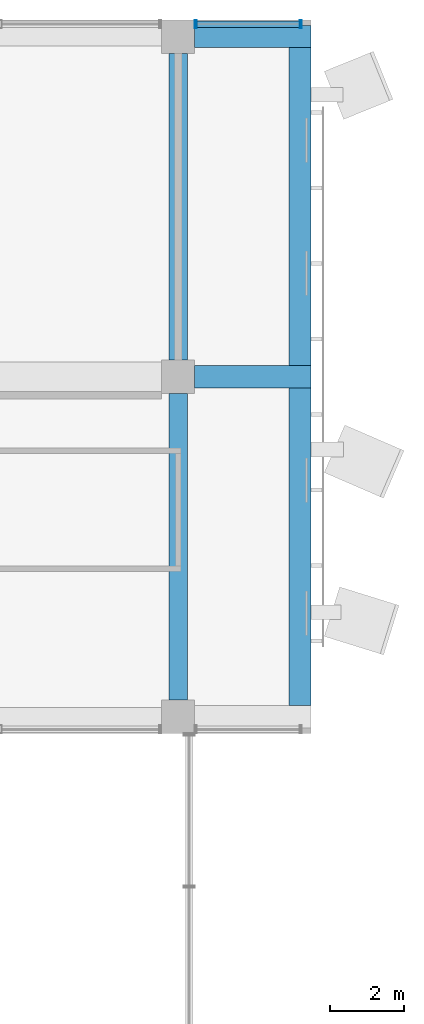
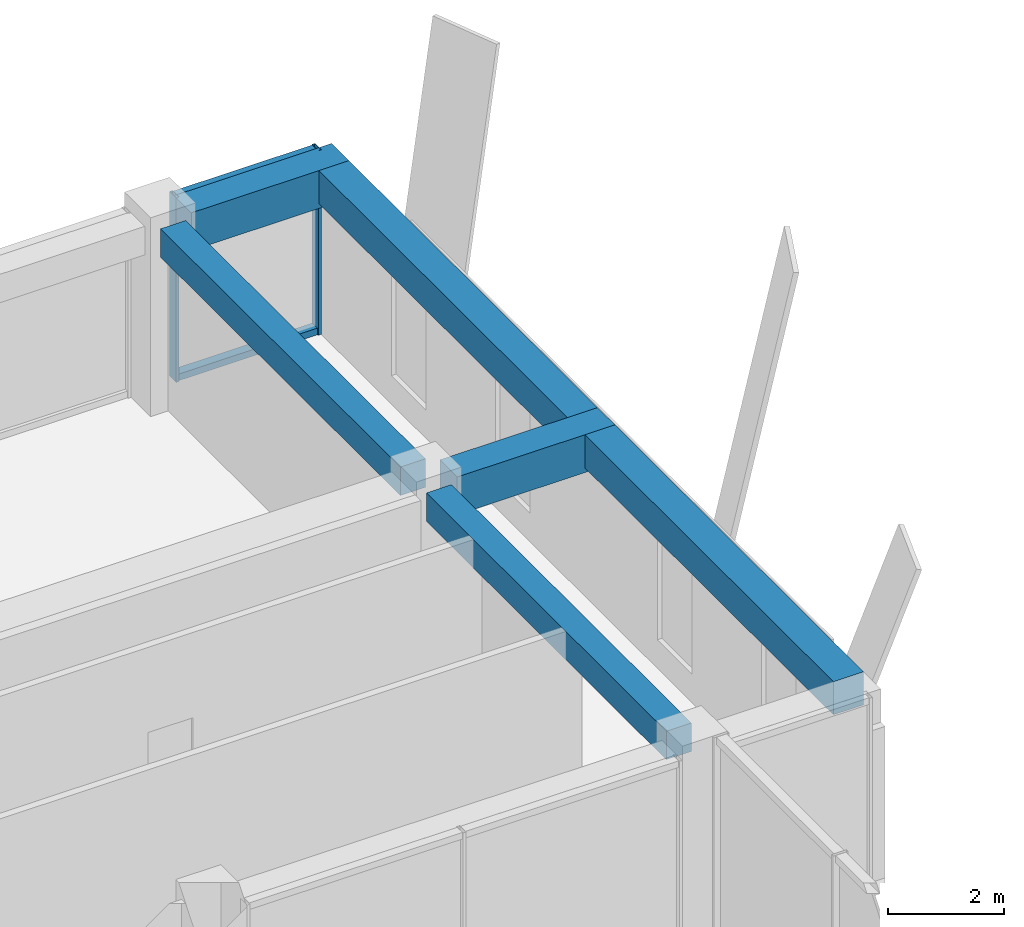
# One storey, part 25 of 37: 6 beams, 4 members, 1 element without a shape of its own.
"""IFC4 building model written with IfcOpenShell, lengths in metres."""

from ifc_helpers import new_model, si_unit, direction, frame, origin, origin_2d, place, context, subcontext, project, spatial, rectangle, hollow_rectangle, extrude, material, layer, layer_set, material_profile, profile_set, type_object, element, aggregate, save


model = new_model("IFC4")

# Units and contexts
model_context = context("Model", 3, precision=1e-05, world=origin(), true_north=direction((0.0, 1.0)))
body_context = subcontext(model_context, "Body", "Model", "MODEL_VIEW")
ifc_project = project(units=[si_unit("LENGTHUNIT", "METRE"), si_unit("AREAUNIT", "SQUARE_METRE"), si_unit("VOLUMEUNIT", "CUBIC_METRE"), si_unit("PLANEANGLEUNIT", "RADIAN"), si_unit("MASSUNIT", "GRAM", prefix="KILO")], contexts=[model_context])

# Site, building, storey
site_placement = place(None, origin())
site = spatial("IfcSite", under=ifc_project, at=site_placement, CompositionType="ELEMENT")
building_placement = place(site_placement, origin())
building = spatial("IfcBuilding", under=site, at=building_placement, Name="Nzadi Deep Aquarium and Research Tower", CompositionType="ELEMENT")
storey_placement = place(building_placement, frame((0.0, 0.0, 61.300048828125)))
storey = spatial("IfcBuildingStorey", under=building, at=storey_placement, Name="L12", CompositionType="ELEMENT", Elevation=61.300048828125)

# Curtain wall, members
ifc_material_1 = material(Name="Aluminium unitised frame deep", Category="aluminium")
ifc_layer = layer(ifc_material_1, 0.22509765625)
ifc_layer_set = layer_set([ifc_layer], Name="Aluminium unitised frame deep")
curtain_wall_type = type_object("IfcCurtainWallType", Name="Curtain wall Unitised Deep 225", PredefinedType="NOTDEFINED", material=ifc_layer_set)
curtain_wall_placement = place(storey_placement, origin())
curtain_wall = element("IfcCurtainWall", 1, at=curtain_wall_placement, inside=storey, type_object=curtain_wall_type, Name="Unitised curtain wall blade B north L12", PredefinedType="NOTDEFINED")
ifc_material_2 = material(Name="Aluminium unitised frame deep", Category="aluminium")
ifc_material_profile_1 = material_profile(ifc_material_2, hollow_rectangle(XDim=0.22509765625, YDim=0.06005859375, WallThickness=0.0048828125, at=origin_2d()))
ifc_profile_set_1 = profile_set([ifc_material_profile_1], Name="Aluminium unitised frame deep")
member_type_1 = type_object("IfcMemberType", Name="Mullion 60x225 Unitised Deep", PredefinedType="MULLION", material=ifc_profile_set_1)
member_1_placement = place(storey_placement, frame((48.47998046875, 46.33740234375, 0.0), z_axis=(0.0, 0.0, 1.0), x_axis=(0.0, 1.0, 0.0)))
member_1 = element("IfcMember", 2, at=member_1_placement, type_object=member_type_1, Name="CW163 mullion 1", PredefinedType="MULLION", context=body_context, shape_type="SweptSolid", body=[
    extrude(hollow_rectangle(XDim=0.22509765625, YDim=0.06005859375, WallThickness=0.0048828125, at=origin_2d()), origin(), (0.0, 0.0, 1.0), 3.89990234375),
])
member_2_placement = place(storey_placement, frame((51.320068359375, 46.33740234375, 0.0), z_axis=(0.0, 0.0, 1.0), x_axis=(0.0, 1.0, 0.0)))
member_2 = element("IfcMember", 3, at=member_2_placement, type_object=member_type_1, Name="CW163 mullion 2", PredefinedType="MULLION", context=body_context, shape_type="SweptSolid", body=[
    extrude(hollow_rectangle(XDim=0.22509765625, YDim=0.06005859375, WallThickness=0.0048828125, at=origin_2d()), origin(), (0.0, 0.0, 1.0), 3.89990234375),
])

# Beams
ifc_material_3 = material(Name="Concrete C35/45", Category="concrete")
ifc_material_profile_2 = material_profile(ifc_material_3, rectangle(XDim=0.5, YDim=0.60009765625, at=origin_2d()))
ifc_profile_set_2 = profile_set([ifc_material_profile_2], Name="Concrete C35/45")
beam_type_1 = type_object("IfcBeamType", Name="RC 500x600", PredefinedType="BEAM", material=ifc_profile_set_2)
for number, where, z_axis, x_axis, name in (
    (4, (48.0, 28.050048828125, 3.599853515625), (0.0, 1.0, 0.0), (-1.0, 0.0, 0.0), "B-Z1-L12-CF-1-4"),
    (5, (48.0, 37.25, 3.599853515625), (0.0, 1.0, 0.0), (-1.0, 0.0, 0.0), "B-Z1-L12-CF-2-4"),
):
    element("IfcBeam", number, at=place(storey_placement, frame(where, z_axis=z_axis, x_axis=x_axis)), inside=storey, type_object=beam_type_1, Name=name, PredefinedType="BEAM", context=body_context, shape_type="SweptSolid", body=[
        extrude(rectangle(XDim=0.5, YDim=0.60009765625, at=origin_2d()), origin(), (0.0, 0.0, 1.0), 8.300048828125),
    ])
ifc_material_4 = material(Name="Concrete C35/45", Category="concrete")
ifc_material_profile_3 = material_profile(ifc_material_4, rectangle(XDim=0.60009765625, YDim=0.699951171875, at=origin_2d()))
ifc_profile_set_3 = profile_set([ifc_material_profile_3], Name="Concrete C35/45")
beam_type_2 = type_object("IfcBeamType", Name="RC 600x700", PredefinedType="BEAM", material=ifc_profile_set_3)
beam_1_placement = place(storey_placement, frame((51.300048828125, 27.89990234375, 3.550048828125), z_axis=(0.0, 1.0, 0.0), x_axis=(-1.0, 0.0, 0.0)))
element("IfcBeam", 6, at=beam_1_placement, inside=storey, type_object=beam_type_2, Name="B-Z1-L12-TIP1", PredefinedType="BEAM", context=body_context, shape_type="SweptSolid", body=[
    extrude(rectangle(XDim=0.60009765625, YDim=0.699951171875, at=origin_2d()), origin(), (0.0, 0.0, 1.0), 8.60009765625),
])
beam_2_placement = place(storey_placement, frame((51.300048828125, 37.10009765625, 3.550048828125), z_axis=(0.0, 1.0, 0.0), x_axis=(-1.0, 0.0, 0.0)))
element("IfcBeam", 7, at=beam_2_placement, inside=storey, type_object=beam_type_2, Name="B-Z1-L12-TIP2", PredefinedType="BEAM", context=body_context, shape_type="SweptSolid", body=[
    extrude(rectangle(XDim=0.60009765625, YDim=0.699951171875, at=origin_2d()), origin(), (0.0, 0.0, 1.0), 8.599853515625),
])
ifc_material_5 = material(Name="Concrete C35/45", Category="concrete")
ifc_material_profile_4 = material_profile(ifc_material_5, rectangle(XDim=0.60009765625, YDim=0.800048828125, at=origin_2d()))
ifc_profile_set_4 = profile_set([ifc_material_profile_4], Name="Concrete C35/45")
beam_type_3 = type_object("IfcBeamType", Name="RC 600x800", PredefinedType="BEAM", material=ifc_profile_set_4)
for number, where, z_axis, x_axis, name in (
    (8, (48.449951171875, 36.800048828125, 3.5), (1.0, 0.0, 0.0), (0.0, 1.0, 0.0), "B-Z1-L12-CANT5"),
    (9, (48.449951171875, 46.0, 3.5), (1.0, 0.0, 0.0), (0.0, 1.0, 0.0), "B-Z1-L12-CANT6"),
):
    element("IfcBeam", number, at=place(storey_placement, frame(where, z_axis=z_axis, x_axis=x_axis)), inside=storey, type_object=beam_type_3, Name=name, PredefinedType="BEAM", context=body_context, shape_type="SweptSolid", body=[
        extrude(rectangle(XDim=0.60009765625, YDim=0.800048828125, at=origin_2d()), origin(), (0.0, 0.0, 1.0), 3.150146484375),
    ])

# Member
ifc_material_6 = material(Name="Aluminium unitised frame deep", Category="aluminium")
ifc_material_profile_5 = material_profile(ifc_material_6, hollow_rectangle(XDim=0.179931640625, YDim=0.139892578125, WallThickness=0.0048828125, at=origin_2d()))
ifc_profile_set_5 = profile_set([ifc_material_profile_5], Name="Aluminium unitised frame deep")
member_type_2 = type_object("IfcMemberType", Name="Transom 140x180 Unitised Deep", PredefinedType="MULLION", material=ifc_profile_set_5)
member_3_placement = place(storey_placement, frame((48.510009765625, 46.33740234375, 0.070068359375), z_axis=(1.0, 0.0, 0.0), x_axis=(0.0, 1.0, 0.0)))
member_3 = element("IfcMember", 10, at=member_3_placement, type_object=member_type_2, Name="CW163 transom 1.1", PredefinedType="MULLION", context=body_context, shape_type="SweptSolid", body=[
    extrude(hollow_rectangle(XDim=0.179931640625, YDim=0.139892578125, WallThickness=0.0048828125, at=origin_2d()), origin(), (0.0, 0.0, 1.0), 2.780029296875),
])

member_4_placement = place(storey_placement, frame((48.510009765625, 46.33740234375, 3.829833984375), z_axis=(1.0, 0.0, 0.0), x_axis=(0.0, 1.0, 0.0)))
member_4 = element("IfcMember", 11, at=member_4_placement, type_object=member_type_2, Name="CW163 transom 1.2", PredefinedType="MULLION", context=body_context, shape_type="SweptSolid", body=[
    extrude(hollow_rectangle(XDim=0.179931640625, YDim=0.139892578125, WallThickness=0.0048828125, at=origin_2d()), origin(), (0.0, 0.0, 1.0), 2.780029296875),
])

aggregate(curtain_wall, [member_1, member_2, member_3, member_4])

save(model, "model.ifc")
